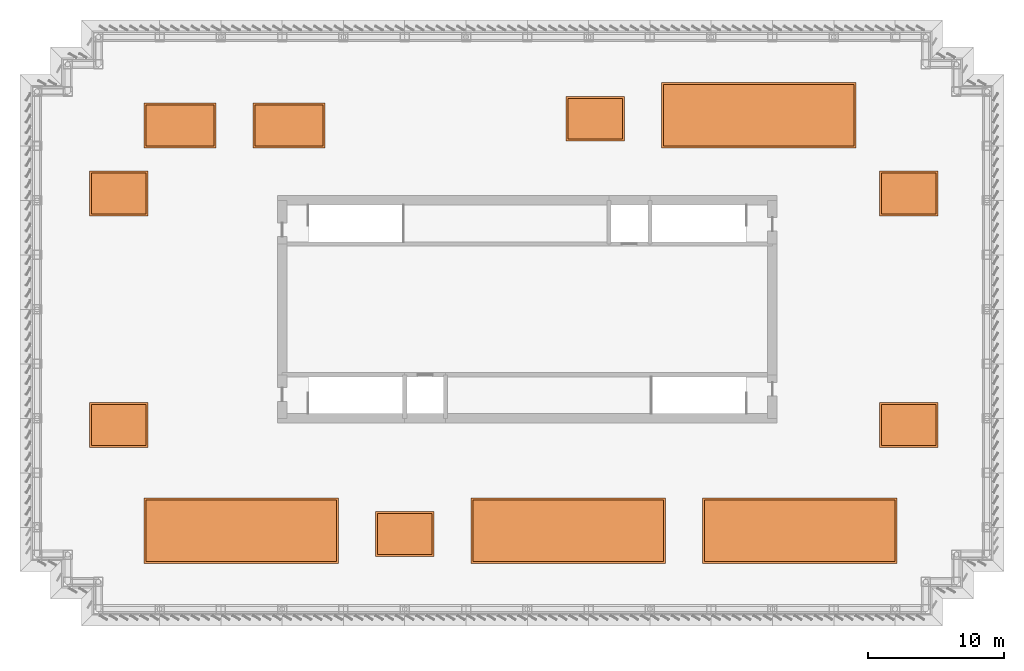
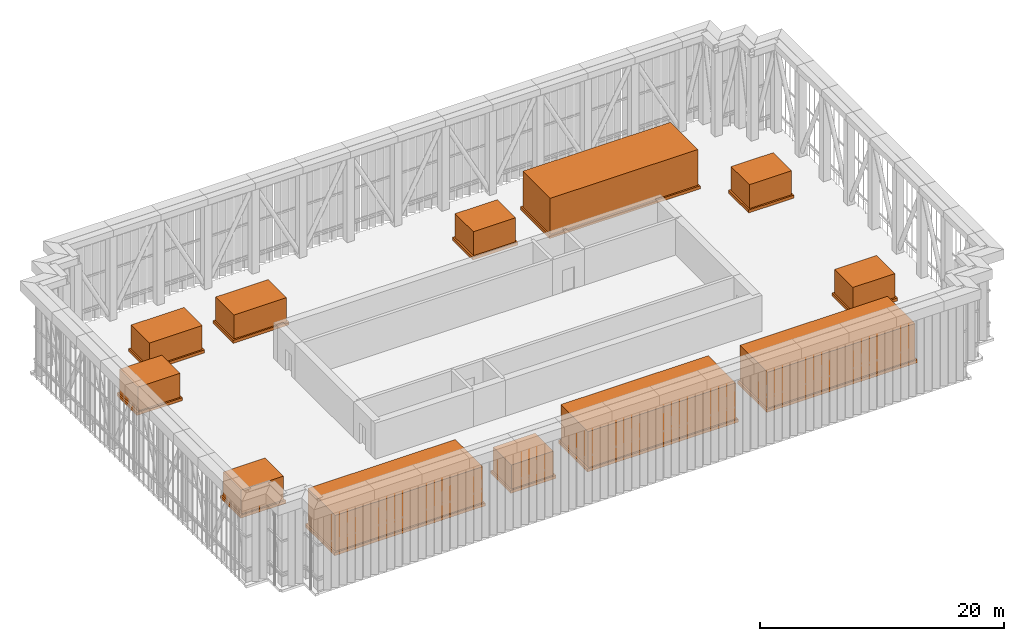
# One storey, part 11 of 11: 24 proxies.
"""IFC4 building model written with IfcOpenShell, lengths in metres."""

import ifcopenshell
import ifcopenshell.guid

model = None  # the IFC model being written
_history = None  # IfcOwnerHistory: only IFC2X3 demands one
_inside = {}  # id of a spatial element -> (the spatial element, [elements in it])
_under = {}  # id of a project, library or spatial element -> (it, [spatial elements below it])
_declared = {}  # id of a project -> (the project, [libraries it declares])
_typed = {}  # id of a type object -> (the type object, [elements of that type])
_made_of = {}  # id of a material, layer set ... -> (it, [elements and type objects made of it])


def new_model(schema):
    """Start an empty IFC model of exactly this schema.

    Asked for "IFC4X3", IfcOpenShell would pick the latest addendum, in which some entities
    have other attributes; the version numbers below select the first issue.
    IFC2X3 requires an IfcOwnerHistory on every rooted entity: one is made here for all.
    """
    global model, _history
    if schema == "IFC4X3":
        model = ifcopenshell.file(schema_version=(4, 3, 0, 0))
    else:
        model = ifcopenshell.file(schema=schema)
    _inside.clear()
    _under.clear()
    _declared.clear()
    _typed.clear()
    _made_of.clear()
    _history = None
    if model.schema == "IFC2X3":
        org = make("IfcOrganization", Name="unknown")
        user = make(
            "IfcPersonAndOrganization",
            ThePerson=make("IfcPerson", FamilyName="unknown"),
            TheOrganization=org,
        )
        app = make(
            "IfcApplication",
            ApplicationDeveloper=org,
            Version="unknown",
            ApplicationFullName="unknown",
            ApplicationIdentifier="unknown",
        )
        _history = make(
            "IfcOwnerHistory",
            OwningUser=user,
            OwningApplication=app,
            ChangeAction="ADDED",
            CreationDate=0,
        )
    return model


def make(cls, **values):
    """One entity of the class cls with the attributes given. An attribute that is None is left unset."""
    return model.create_entity(
        cls, **{name: value for name, value in values.items() if value is not None}
    )


def rooted(cls, **values):
    """An entity with a GlobalId (a new one), such as an element, a storey or a relation."""
    return make(cls, GlobalId=ifcopenshell.guid.new(), OwnerHistory=_history, **values)


def si_unit(unit_type, name, prefix=None):
    """IfcSIUnit, for example si_unit("LENGTHUNIT", "METRE", prefix="MILLI")."""
    return make("IfcSIUnit", UnitType=unit_type, Prefix=prefix, Name=name)


def assignment(units):
    """IfcUnitAssignment: the units of a project."""
    return None if units is None else make("IfcUnitAssignment", Units=units)


def point(xyz):
    """IfcCartesianPoint."""
    return None if xyz is None else make("IfcCartesianPoint", Coordinates=xyz)


def direction(xyz):
    """IfcDirection."""
    return None if xyz is None else make("IfcDirection", DirectionRatios=xyz)


def frame(location, z_axis=None, x_axis=None):
    """IfcAxis2Placement3D, a coordinate frame: its origin and axes. An axis left out is left unset."""
    return make(
        "IfcAxis2Placement3D",
        Location=point(location),
        Axis=direction(z_axis),
        RefDirection=direction(x_axis),
    )


def frame_2d(location, x_axis=None):
    """IfcAxis2Placement2D, a coordinate frame in the plane: its origin and x axis."""
    return make(
        "IfcAxis2Placement2D", Location=point(location), RefDirection=direction(x_axis)
    )


def origin():
    """The frame at (0, 0, 0) with its axes left unset."""
    return frame((0.0, 0.0, 0.0))


def origin_2d():
    """The frame at (0, 0) in the plane with its x axis left unset."""
    return frame_2d((0.0, 0.0))


def place(relative_to, where):
    """IfcLocalPlacement: puts the frame where relative to a parent placement (None: the world)."""
    return make(
        "IfcLocalPlacement", PlacementRelTo=relative_to, RelativePlacement=where
    )


def context(
    kind, dimensions, precision=None, world=None, true_north=None, identifier=None
):
    """IfcGeometricRepresentationContext, for example the 3D "Model" context."""
    return make(
        "IfcGeometricRepresentationContext",
        ContextIdentifier=identifier,
        ContextType=kind,
        CoordinateSpaceDimension=dimensions,
        Precision=precision,
        WorldCoordinateSystem=world,
        TrueNorth=true_north,
    )


def subcontext(parent, identifier, kind, view, scale=None):
    """IfcGeometricRepresentationSubContext, for example "Body" below "Model"."""
    return make(
        "IfcGeometricRepresentationSubContext",
        ContextIdentifier=identifier,
        ContextType=kind,
        ParentContext=parent,
        TargetScale=scale,
        TargetView=view,
    )


def project(units=None, contexts=None):
    """IfcProject with its units and contexts."""
    return rooted(
        "IfcProject",
        Name="project",
        RepresentationContexts=contexts,
        UnitsInContext=assignment(units),
    )


def spatial(cls, under=None, at=None, **own):
    """A site, building, storey or space (cls), placed at a placement, below another one or the project."""
    s = rooted(cls, ObjectPlacement=at, **own)
    if under is not None:
        _under.setdefault(under.id(), (under, []))[1].append(s)
    return s


def profile(cls, at=None, kind="AREA", **sizes):
    """A parametric profile (cls). Its sizes go by their IFC names, for example OverallWidth=200.0."""
    return make(cls, ProfileType=kind, Position=at, **sizes)


def rectangle(**sizes):
    """IfcRectangleProfileDef."""
    return profile("IfcRectangleProfileDef", **sizes)


def extrude(swept, where, along, depth):
    """IfcExtrudedAreaSolid: the profile swept, set in the frame where, extruded along a direction by depth."""
    return make(
        "IfcExtrudedAreaSolid",
        SweptArea=swept,
        Position=where,
        ExtrudedDirection=direction(along),
        Depth=depth,
    )


def shape(context_of_items, identifier, shape_type, items):
    """IfcShapeRepresentation: the items that make up one representation, for example the "Body"."""
    return make(
        "IfcShapeRepresentation",
        ContextOfItems=context_of_items,
        RepresentationIdentifier=identifier,
        RepresentationType=shape_type,
        Items=items,
    )


def material(Name=None, Category=None):
    """IfcMaterial."""
    return make("IfcMaterial", Name=Name, Category=Category)


def made_of(thing, what):
    """Note that an element or type object is made of a material, layer set ...; save() writes the relation."""
    if what is not None:
        _made_of.setdefault(what.id(), (what, []))[1].append(thing)
    return thing


def type_object(cls, material=None, **own):
    """A type object (cls), such as IfcWallType, which elements share."""
    return made_of(rooted(cls, **own), material)


def element(
    cls,
    number,
    at=None,
    inside=None,
    cuts=None,
    type_object=None,
    material=None,
    context=None,
    identifier="Body",
    shape_type=None,
    held_by="IfcProductDefinitionShape",
    body=None,
    shapes=None,
    **own,
):
    """One element of the class cls, such as IfcWall. Its Tag is "e" and its number.

    at: its placement. inside: the storey or other place that contains it. cuts: it is an
    opening in that element (IfcRelVoidsElement). A single representation is given by context,
    identifier, shape_type and body (its items); several are given by shapes. held_by: the class
    of the entity that holds the representations. save() writes the other relations.
    """
    e = rooted(cls, Tag="e%d" % number, ObjectPlacement=at, **own)
    if body is not None:
        shapes = [shape(context, identifier, shape_type, body)]
    if shapes is not None:
        e.Representation = make(held_by, Representations=shapes)
    if inside is not None:
        _inside.setdefault(inside.id(), (inside, []))[1].append(e)
    if cuts is not None:
        rooted(
            "IfcRelVoidsElement", RelatingBuildingElement=cuts, RelatedOpeningElement=e
        )
    if type_object is not None:
        _typed.setdefault(type_object.id(), (type_object, []))[1].append(e)
    return made_of(e, material)


def aggregate(whole, parts):
    """IfcRelAggregates: a whole, such as a stair, and the parts it consists of."""
    return rooted("IfcRelAggregates", RelatingObject=whole, RelatedObjects=parts)


def save(model, path):
    """Write the relations noted so far, then the file.

    IfcRelAggregates (storeys below a building ...), IfcRelContainedInSpatialStructure (elements
    in a storey), IfcRelDefinesByType, IfcRelAssociatesMaterial and IfcRelDeclares: one each for
    every whole, place, type object, material and project.
    """
    for whole, parts in _under.values():
        aggregate(whole, parts)
    for where, things in _inside.values():
        rooted(
            "IfcRelContainedInSpatialStructure",
            RelatedElements=things,
            RelatingStructure=where,
        )
    for kind, things in _typed.values():
        rooted("IfcRelDefinesByType", RelatedObjects=things, RelatingType=kind)
    for what, things in _made_of.values():
        rooted("IfcRelAssociatesMaterial", RelatedObjects=things, RelatingMaterial=what)
    for by, libraries in _declared.values():
        rooted("IfcRelDeclares", RelatingContext=by, RelatedDefinitions=libraries)
    model.write(path)


model = new_model("IFC4")

# Units and contexts
model_context = context("Model", 3, precision=1e-05, world=origin(), true_north=direction((0.0, 1.0)))
body_context = subcontext(model_context, "Body", "Model", "MODEL_VIEW")
ifc_project = project(units=[si_unit("LENGTHUNIT", "METRE"), si_unit("AREAUNIT", "SQUARE_METRE"), si_unit("VOLUMEUNIT", "CUBIC_METRE"), si_unit("PLANEANGLEUNIT", "RADIAN"), si_unit("MASSUNIT", "GRAM", prefix="KILO")], contexts=[model_context])

# Site, building, storey
site_placement = place(None, origin())
site = spatial("IfcSite", under=ifc_project, at=site_placement, CompositionType="ELEMENT")
building_placement = place(site_placement, origin())
building = spatial("IfcBuilding", under=site, at=building_placement, Name="Rheinbord Bourse Tower", CompositionType="ELEMENT")
storey_placement = place(building_placement, frame((0.0, 0.0, 334.10009765625)))
storey = spatial("IfcBuildingStorey", under=building, at=storey_placement, Name="RF", CompositionType="ELEMENT", Elevation=334.10009765625)

# Proxies
ifc_material_1 = material(Name="Galvanised steel casing", Category="steel")
building_element_proxy_type_1 = type_object("IfcBuildingElementProxyType", Name="ROOF AIR HANDLING UNIT", PredefinedType="USERDEFINED", material=ifc_material_1)
for number, where, z_axis, x_axis, name in (
    (1, (15.0, 7.75, 0.2998046875), (0.0, 0.0, 1.0), (1.0, 0.0, 0.0), "Roof air handling unit AHU-R1"),
    (2, (39.0, 7.75, 0.2998046875), (0.0, 0.0, 1.0), (1.0, 0.0, 0.0), "Roof air handling unit AHU-R2"),
    (3, (56.0, 7.75, 0.2998046875), (0.0, 0.0, 1.0), (1.0, 0.0, 0.0), "Roof air handling unit AHU-R3"),
    (4, (53.0, 38.25, 0.2998046875), (0.0, 0.0, 1.0), (1.0, 0.0, 0.0), "Roof air handling unit AHU-R4"),
):
    element("IfcBuildingElementProxy", number, at=place(storey_placement, frame(where, z_axis=z_axis, x_axis=x_axis)), inside=storey, type_object=building_element_proxy_type_1, Name=name, ObjectType="ROOF AIR HANDLING UNIT", PredefinedType="USERDEFINED", context=body_context, shape_type="SweptSolid", body=[
        extrude(rectangle(XDim=14.0, YDim=4.5, at=origin_2d()), origin(), (0.0, 0.0, 1.0), 3.60009765625),
    ])
ifc_material_2 = material(Name="Galvanised steel casing", Category="steel")
building_element_proxy_type_2 = type_object("IfcBuildingElementProxyType", Name="ROOF EXTRACT FAN UNIT", PredefinedType="USERDEFINED", material=ifc_material_2)
for number, where, z_axis, x_axis, name in (
    (5, (10.5, 37.5, 0.300048828125), (0.0, 0.0, 1.0), (1.0, 0.0, 0.0), "Roof extract fan unit XF-R1"),
    (6, (18.5, 37.5, 0.300048828125), (0.0, 0.0, 1.0), (1.0, 0.0, 0.0), "Roof extract fan unit XF-R2"),
):
    element("IfcBuildingElementProxy", number, at=place(storey_placement, frame(where, z_axis=z_axis, x_axis=x_axis)), inside=storey, type_object=building_element_proxy_type_2, Name=name, ObjectType="ROOF EXTRACT FAN UNIT", PredefinedType="USERDEFINED", context=body_context, shape_type="SweptSolid", body=[
        extrude(rectangle(XDim=5.0, YDim=3.0, at=origin_2d()), origin(), (0.0, 0.0, 1.0), 2.39990234375),
    ])
ifc_material_3 = material(Name="Galvanised steel casing", Category="steel")
building_element_proxy_type_3 = type_object("IfcBuildingElementProxyType", Name="ROOF LIFT SHAFT PRESSURISATION FAN UNIT", PredefinedType="USERDEFINED", material=ifc_material_3)
for number, where, z_axis, x_axis, name in (
    (7, (27.0, 7.5, 0.300048828125), (0.0, 0.0, 1.0), (1.0, 0.0, 0.0), "Roof firefighting lift shaft pressurisation fan unit LPF-FL1"),
    (8, (41.0, 38.0, 0.300048828125), (0.0, 0.0, 1.0), (1.0, 0.0, 0.0), "Roof firefighting lift shaft pressurisation fan unit LPF-FL2"),
):
    element("IfcBuildingElementProxy", number, at=place(storey_placement, frame(where, z_axis=z_axis, x_axis=x_axis)), inside=storey, type_object=building_element_proxy_type_3, Name=name, ObjectType="ROOF LIFT SHAFT PRESSURISATION FAN UNIT", PredefinedType="USERDEFINED", context=body_context, shape_type="SweptSolid", body=[
        extrude(rectangle(XDim=4.0, YDim=3.0, at=origin_2d()), origin(), (0.0, 0.0, 1.0), 2.39990234375),
    ])
ifc_material_4 = material(Name="Concrete C35/45", Category="concrete")
building_element_proxy_type_4 = type_object("IfcBuildingElementProxyType", Name="ROOF PLANT PLINTH 300", PredefinedType="USERDEFINED", material=ifc_material_4)
proxy_1_placement = place(storey_placement, frame((15.0, 7.75, 0.0), z_axis=(0.0, 0.0, 1.0), x_axis=(1.0, 0.0, 0.0)))
element("IfcBuildingElementProxy", 9, at=proxy_1_placement, inside=storey, type_object=building_element_proxy_type_4, Name="Roof plant plinth AHU-R1", ObjectType="ROOF PLANT PLINTH", PredefinedType="USERDEFINED", context=body_context, shape_type="SweptSolid", body=[
    extrude(rectangle(XDim=14.300048828125, YDim=4.800048828125, at=origin_2d()), origin(), (0.0, 0.0, 1.0), 0.300048828125),
])
proxy_2_placement = place(storey_placement, frame((27.0, 7.5, 0.0), z_axis=(0.0, 0.0, 1.0), x_axis=(1.0, 0.0, 0.0)))
element("IfcBuildingElementProxy", 10, at=proxy_2_placement, inside=storey, type_object=building_element_proxy_type_4, Name="Roof plant plinth LPF-FL1", ObjectType="ROOF PLANT PLINTH", PredefinedType="USERDEFINED", context=body_context, shape_type="SweptSolid", body=[
    extrude(rectangle(XDim=4.300048828125, YDim=3.300048828125, at=origin_2d()), origin(), (0.0, 0.0, 1.0), 0.300048828125),
])
for number, where, z_axis, x_axis, name in (
    (11, (39.0, 7.75, 0.0), (0.0, 0.0, 1.0), (1.0, 0.0, 0.0), "Roof plant plinth AHU-R2"),
    (12, (56.0, 7.75, 0.0), (0.0, 0.0, 1.0), (1.0, 0.0, 0.0), "Roof plant plinth AHU-R3"),
):
    element("IfcBuildingElementProxy", number, at=place(storey_placement, frame(where, z_axis=z_axis, x_axis=x_axis)), inside=storey, type_object=building_element_proxy_type_4, Name=name, ObjectType="ROOF PLANT PLINTH", PredefinedType="USERDEFINED", context=body_context, shape_type="SweptSolid", body=[
        extrude(rectangle(XDim=14.300048828125, YDim=4.800048828125, at=origin_2d()), origin(), (0.0, 0.0, 1.0), 0.300048828125),
    ])
for number, where, z_axis, x_axis, name in (
    (13, (6.0, 15.5, 0.0), (0.0, 0.0, 1.0), (1.0, 0.0, 0.0), "Roof plant plinth SPF-ST1"),
    (14, (6.0, 32.5, 0.0), (0.0, 0.0, 1.0), (1.0, 0.0, 0.0), "Roof plant plinth SPF-ST2"),
    (15, (64.0, 15.5, 0.0), (0.0, 0.0, 1.0), (1.0, 0.0, 0.0), "Roof plant plinth SPF-ST3"),
    (16, (64.0, 32.5, 0.0), (0.0, 0.0, 1.0), (1.0, 0.0, 0.0), "Roof plant plinth SPF-ST4"),
):
    element("IfcBuildingElementProxy", number, at=place(storey_placement, frame(where, z_axis=z_axis, x_axis=x_axis)), inside=storey, type_object=building_element_proxy_type_4, Name=name, ObjectType="ROOF PLANT PLINTH", PredefinedType="USERDEFINED", context=body_context, shape_type="SweptSolid", body=[
        extrude(rectangle(XDim=4.300048828125, YDim=3.300048828125, at=origin_2d()), origin(), (0.0, 0.0, 1.0), 0.300048828125),
    ])
for number, where, z_axis, x_axis, name in (
    (17, (10.5, 37.5, 0.0), (0.0, 0.0, 1.0), (1.0, 0.0, 0.0), "Roof plant plinth XF-R1"),
    (18, (18.5, 37.5, 0.0), (0.0, 0.0, 1.0), (1.0, 0.0, 0.0), "Roof plant plinth XF-R2"),
):
    element("IfcBuildingElementProxy", number, at=place(storey_placement, frame(where, z_axis=z_axis, x_axis=x_axis)), inside=storey, type_object=building_element_proxy_type_4, Name=name, ObjectType="ROOF PLANT PLINTH", PredefinedType="USERDEFINED", context=body_context, shape_type="SweptSolid", body=[
        extrude(rectangle(XDim=5.300048828125, YDim=3.300048828125, at=origin_2d()), origin(), (0.0, 0.0, 1.0), 0.300048828125),
    ])
proxy_3_placement = place(storey_placement, frame((41.0, 38.0, 0.0), z_axis=(0.0, 0.0, 1.0), x_axis=(1.0, 0.0, 0.0)))
element("IfcBuildingElementProxy", 19, at=proxy_3_placement, inside=storey, type_object=building_element_proxy_type_4, Name="Roof plant plinth LPF-FL2", ObjectType="ROOF PLANT PLINTH", PredefinedType="USERDEFINED", context=body_context, shape_type="SweptSolid", body=[
    extrude(rectangle(XDim=4.300048828125, YDim=3.300048828125, at=origin_2d()), origin(), (0.0, 0.0, 1.0), 0.300048828125),
])
proxy_4_placement = place(storey_placement, frame((53.0, 38.25, 0.0), z_axis=(0.0, 0.0, 1.0), x_axis=(1.0, 0.0, 0.0)))
element("IfcBuildingElementProxy", 20, at=proxy_4_placement, inside=storey, type_object=building_element_proxy_type_4, Name="Roof plant plinth AHU-R4", ObjectType="ROOF PLANT PLINTH", PredefinedType="USERDEFINED", context=body_context, shape_type="SweptSolid", body=[
    extrude(rectangle(XDim=14.300048828125, YDim=4.800048828125, at=origin_2d()), origin(), (0.0, 0.0, 1.0), 0.300048828125),
])
ifc_material_5 = material(Name="Galvanised steel casing", Category="steel")
building_element_proxy_type_5 = type_object("IfcBuildingElementProxyType", Name="ROOF STAIR PRESSURISATION FAN UNIT", PredefinedType="USERDEFINED", material=ifc_material_5)
for number, where, z_axis, x_axis, name in (
    (21, (6.0, 15.5, 0.300048828125), (0.0, 0.0, 1.0), (1.0, 0.0, 0.0), "Roof stair pressurisation fan unit SPF-ST1"),
    (22, (6.0, 32.5, 0.300048828125), (0.0, 0.0, 1.0), (1.0, 0.0, 0.0), "Roof stair pressurisation fan unit SPF-ST2"),
    (23, (64.0, 15.5, 0.300048828125), (0.0, 0.0, 1.0), (1.0, 0.0, 0.0), "Roof stair pressurisation fan unit SPF-ST3"),
    (24, (64.0, 32.5, 0.300048828125), (0.0, 0.0, 1.0), (1.0, 0.0, 0.0), "Roof stair pressurisation fan unit SPF-ST4"),
):
    element("IfcBuildingElementProxy", number, at=place(storey_placement, frame(where, z_axis=z_axis, x_axis=x_axis)), inside=storey, type_object=building_element_proxy_type_5, Name=name, ObjectType="ROOF STAIR PRESSURISATION FAN UNIT", PredefinedType="USERDEFINED", context=body_context, shape_type="SweptSolid", body=[
        extrude(rectangle(XDim=4.0, YDim=3.0, at=origin_2d()), origin(), (0.0, 0.0, 1.0), 2.39990234375),
    ])

save(model, "model.ifc")
